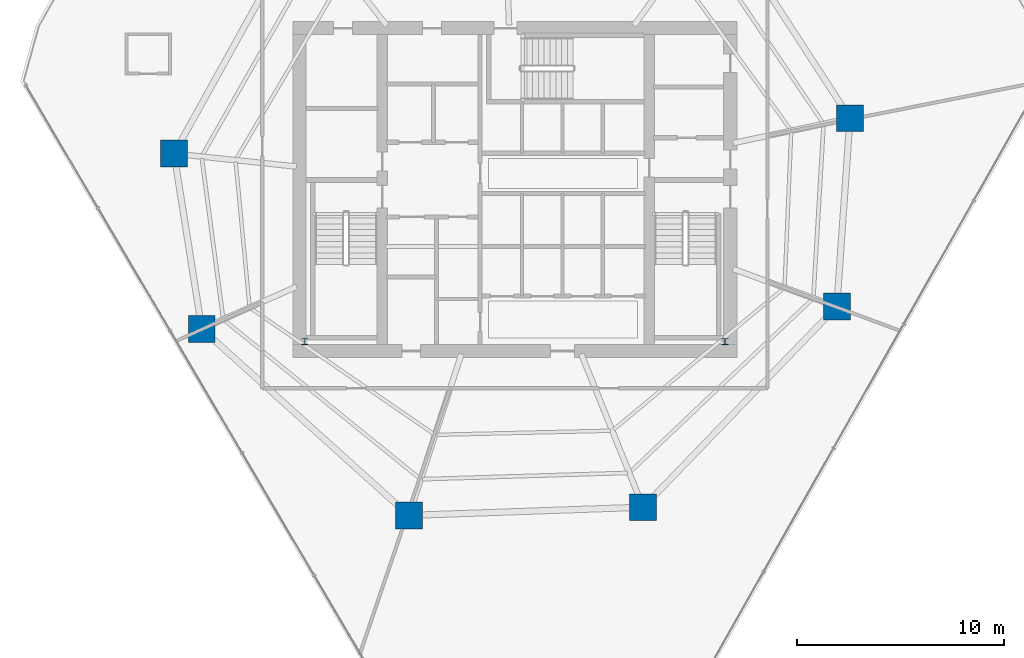
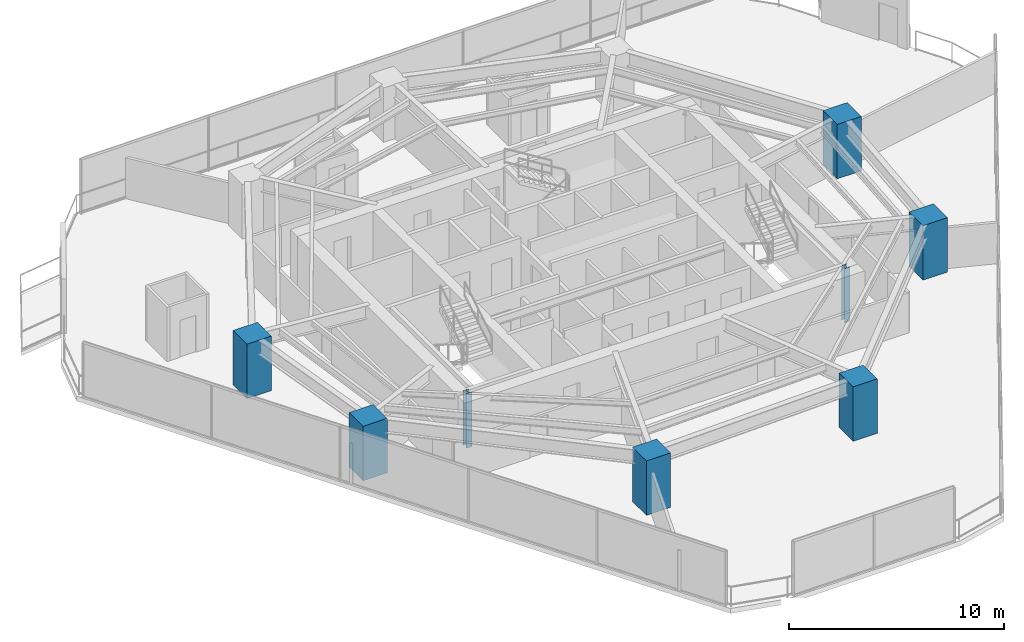
# One storey, part 1 of 31: 8 columns.
"""IFC4 building model written with IfcOpenShell, lengths in metres."""

from ifc_helpers import new_model, si_unit, direction, frame, origin, origin_2d, place, context, subcontext, project, spatial, rectangle, i_section, extrude, material, material_profile, profile_set, type_object, element, save


model = new_model("IFC4")

# Units and contexts
model_context = context("Model", 3, precision=1e-05, world=origin(), true_north=direction((0.0, 1.0)))
body_context = subcontext(model_context, "Body", "Model", "MODEL_VIEW")
ifc_project = project(units=[si_unit("LENGTHUNIT", "METRE"), si_unit("AREAUNIT", "SQUARE_METRE"), si_unit("VOLUMEUNIT", "CUBIC_METRE"), si_unit("PLANEANGLEUNIT", "RADIAN"), si_unit("MASSUNIT", "GRAM", prefix="KILO")], contexts=[model_context])

# Site, building, storey
site_placement = place(None, origin())
site = spatial("IfcSite", under=ifc_project, at=site_placement, CompositionType="ELEMENT")
building_placement = place(site_placement, origin())
building = spatial("IfcBuilding", under=site, at=building_placement, Name="Qarnah Convention Tower", CompositionType="ELEMENT")
storey_placement = place(building_placement, frame((0.0, 0.0, 68.39990234375)))
storey = spatial("IfcBuildingStorey", under=building, at=storey_placement, Name="L17", CompositionType="ELEMENT", Elevation=68.39990234375)

# Columns
ifc_material_1 = material(Name="Concrete C60/75", Category="concrete")
ifc_material_profile_1 = material_profile(ifc_material_1, rectangle(XDim=1.300048828125, YDim=1.300048828125, at=origin_2d()), Name="RC-COL-1300X1300")
ifc_profile_set_1 = profile_set([ifc_material_profile_1], Name="Concrete C60/75")
column_type_1 = type_object("IfcColumnType", Name="COL-Z1-1300", PredefinedType="COLUMN", material=ifc_profile_set_1)
for number, where, z_axis, x_axis, name in (
    (1, (53.387939453125, 29.841064453125, 0.0), (0.0, 0.0, 1.0), (1.0, 0.0, 0.0), "L17 plumb column PC-Z1-01"),
    (2, (20.740966796875, 28.1298828125, 0.0), (0.0, 0.0, 1.0), (1.0, 0.0, 0.0), "L17 plumb column PC-Z1-05"),
    (3, (22.0810546875, 19.6689453125, 0.0), (0.0, 0.0, 1.0), (1.0, 0.0, 0.0), "L17 plumb column PC-Z1-06"),
    (4, (32.0859375, 10.659912109375, 0.0), (0.0, 0.0, 1.0), (1.0, 0.0, 0.0), "L17 plumb column PC-Z1-07"),
    (5, (43.39990234375, 11.054931640625, 0.0), (0.0, 0.0, 1.0), (1.0, 0.0, 0.0), "L17 plumb column PC-Z1-08"),
    (6, (52.751953125, 20.739990234375, 0.0), (0.0, 0.0, 1.0), (1.0, 0.0, 0.0), "L17 plumb column PC-Z1-09"),
):
    element("IfcColumn", number, at=place(storey_placement, frame(where, z_axis=z_axis, x_axis=x_axis)), inside=storey, type_object=column_type_1, Name=name, PredefinedType="COLUMN", context=body_context, shape_type="SweptSolid", body=[
        extrude(rectangle(XDim=1.300048828125, YDim=1.300048828125, at=origin_2d()), origin(), (0.0, 0.0, 1.0), 3.090087890625),
    ])
ifc_material_2 = material(Name="Structural steel S355JR", Category="steel")
ifc_material_profile_2 = material_profile(ifc_material_2, i_section(OverallWidth=0.300048828125, OverallDepth=0.300048828125, WebThickness=0.010986328125, FlangeThickness=0.01904296875, at=origin_2d()), Name="HEB300")
ifc_profile_set_2 = profile_set([ifc_material_profile_2], Name="Structural steel S355JR")
column_type_2 = type_object("IfcColumnType", Name="PIL-SHF-300", PredefinedType="PILASTER", material=ifc_profile_set_2)
for number, where, z_axis, x_axis, name in (
    (7, (27.050048828125, 19.050048828125, 0.0), (0.0, 0.0, 1.0), (1.0, 0.0, 0.0), "L17 core spine steel pilaster 1"),
    (8, (47.35009765625, 19.050048828125, 0.0), (0.0, 0.0, 1.0), (1.0, 0.0, 0.0), "L17 core spine steel pilaster 2"),
):
    element("IfcColumn", number, at=place(storey_placement, frame(where, z_axis=z_axis, x_axis=x_axis)), inside=storey, type_object=column_type_2, Name=name, PredefinedType="PILASTER", context=body_context, shape_type="SweptSolid", body=[
        extrude(i_section(OverallWidth=0.300048828125, OverallDepth=0.300048828125, WebThickness=0.010986328125, FlangeThickness=0.01904296875, at=origin_2d()), origin(), (0.0, 0.0, 1.0), 3.090087890625),
    ])

save(model, "model.ifc")
